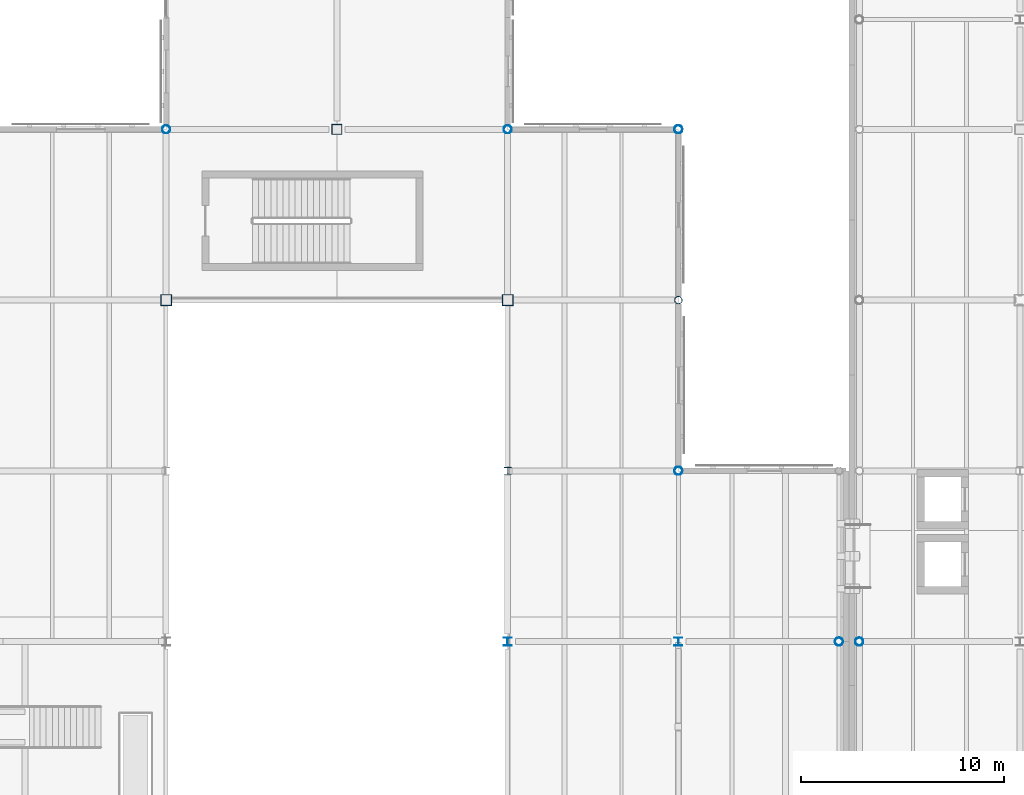
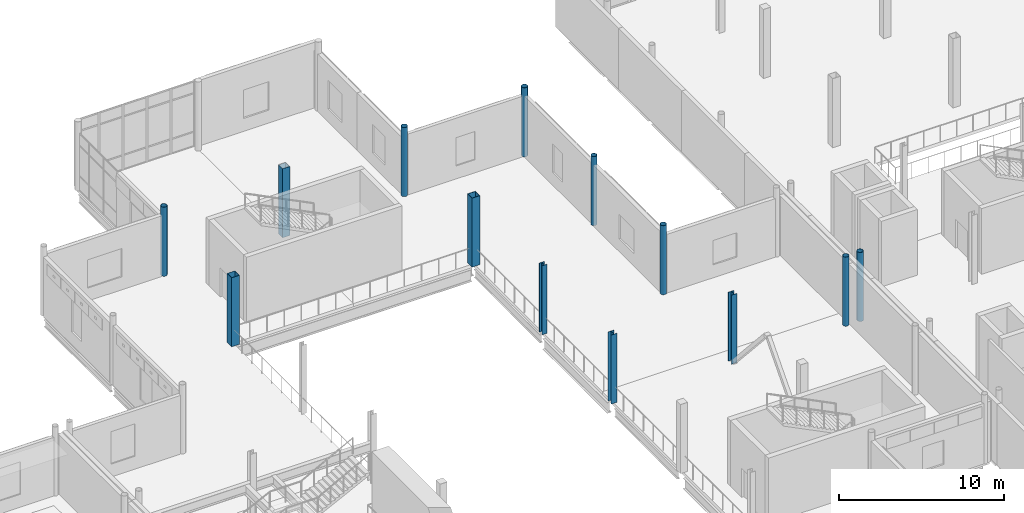
# One storey, part 8 of 104: 13 columns.
"""IFC4 building model written with IfcOpenShell, lengths in metres."""

from ifc_helpers import new_model, si_unit, direction, frame, origin, origin_2d, place, context, subcontext, project, spatial, hollow_rectangle, hollow_circle, i_section, extrude, material, material_profile, profile_set, type_object, element, save


model = new_model("IFC4")

# Units and contexts
model_context = context("Model", 3, precision=1e-05, world=origin(), true_north=direction((0.0, 1.0)))
body_context = subcontext(model_context, "Body", "Model", "MODEL_VIEW")
ifc_project = project(units=[si_unit("LENGTHUNIT", "METRE"), si_unit("AREAUNIT", "SQUARE_METRE"), si_unit("VOLUMEUNIT", "CUBIC_METRE"), si_unit("PLANEANGLEUNIT", "RADIAN"), si_unit("MASSUNIT", "GRAM", prefix="KILO"), si_unit("THERMODYNAMICTEMPERATUREUNIT", "KELVIN")], contexts=[model_context])

# Site, building, storey
site_placement = place(None, origin())
site = spatial("IfcSite", under=ifc_project, at=site_placement, CompositionType="ELEMENT")
building_placement = place(site_placement, origin())
building = spatial("IfcBuilding", under=site, at=building_placement, Name="Lustrewick Department Store", CompositionType="ELEMENT")
storey_placement = place(building_placement, frame((0.0, 0.0, 11.39990234375)))
storey = spatial("IfcBuildingStorey", under=building, at=storey_placement, Name="L03", CompositionType="ELEMENT", Elevation=11.39990234375)

# Columns
ifc_material_1 = material(Name="Structural steel Q355C", Category="steel")
ifc_material_profile_1 = material_profile(ifc_material_1, hollow_rectangle(XDim=0.550048828125, YDim=0.550048828125, WallThickness=0.02197265625, at=origin_2d()), Name="BOX 550x550x22")
ifc_profile_set_1 = profile_set([ifc_material_profile_1], Name="Structural steel Q355C")
column_type_1 = type_object("IfcColumnType", Name="C05", PredefinedType="COLUMN", material=ifc_profile_set_1)
for number, where, z_axis, x_axis, name in (
    (1, (75.60009765625, 92.39990234375, 0.0), (0.0, 0.0, 1.0), (1.0, 0.0, 0.0), "L03 V2 Column C05"),
    (2, (92.39990234375, 92.39990234375, 0.0), (0.0, 0.0, 1.0), (1.0, 0.0, 0.0), "L03 V2 Column C05"),
):
    element("IfcColumn", number, at=place(storey_placement, frame(where, z_axis=z_axis, x_axis=x_axis)), inside=storey, type_object=column_type_1, Name=name, PredefinedType="COLUMN", context=body_context, shape_type="SweptSolid", body=[
        extrude(hollow_rectangle(XDim=0.550048828125, YDim=0.550048828125, WallThickness=0.02197265625, at=origin_2d()), origin(), (0.0, 0.0, 1.0), 5.10009765625),
    ])
ifc_material_2 = material(Name="Structural steel Q355B", Category="steel")
ifc_material_profile_2 = material_profile(ifc_material_2, hollow_rectangle(XDim=0.5, YDim=0.5, WallThickness=0.02001953125, at=origin_2d()), Name="BOX 500x500x20")
ifc_profile_set_2 = profile_set([ifc_material_profile_2], Name="Structural steel Q355B")
column_type_2 = type_object("IfcColumnType", Name="C06", PredefinedType="COLUMN", material=ifc_profile_set_2)
column_1_placement = place(storey_placement, frame((84.0, 100.800048828125, 0.0), z_axis=(0.0, 0.0, 1.0), x_axis=(1.0, 0.0, 0.0)))
element("IfcColumn", 3, at=column_1_placement, inside=storey, type_object=column_type_2, Name="L03 V2 Column C06", PredefinedType="COLUMN", context=body_context, shape_type="SweptSolid", body=[
    extrude(hollow_rectangle(XDim=0.5, YDim=0.5, WallThickness=0.02001953125, at=origin_2d()), origin(), (0.0, 0.0, 1.0), 5.10009765625),
])
ifc_material_profile_3 = material_profile(ifc_material_2, i_section(OverallWidth=0.402099609375, OverallDepth=0.387939453125, WebThickness=0.014892578125, FlangeThickness=0.014892578125, FilletRadius=0.02197265625, at=origin_2d()), Name="HW 388x402x15x15")
ifc_profile_set_3 = profile_set([ifc_material_profile_3], Name="Structural steel Q355B")
column_type_3 = type_object("IfcColumnType", Name="C12", PredefinedType="COLUMN", material=ifc_profile_set_3)
for number, where, z_axis, x_axis, name in (
    (4, (92.39990234375, 75.60009765625, 0.0), (0.0, 0.0, 1.0), (1.0, 0.0, 0.0), "L03 V2 Column C12"),
    (5, (100.800048828125, 75.60009765625, 0.0), (0.0, 0.0, 1.0), (1.0, 0.0, 0.0), "L03 V2 Column C12"),
):
    element("IfcColumn", number, at=place(storey_placement, frame(where, z_axis=z_axis, x_axis=x_axis)), inside=storey, type_object=column_type_3, Name=name, PredefinedType="COLUMN", context=body_context, shape_type="SweptSolid", body=[
        extrude(i_section(OverallWidth=0.402099609375, OverallDepth=0.387939453125, WebThickness=0.014892578125, FlangeThickness=0.014892578125, FilletRadius=0.02197265625, at=origin_2d()), origin(), (0.0, 0.0, 1.0), 5.10009765625),
    ])
ifc_material_profile_4 = material_profile(ifc_material_2, i_section(OverallWidth=0.35009765625, OverallDepth=0.35009765625, WebThickness=0.011962890625, FlangeThickness=0.01904296875, FilletRadius=0.02001953125, at=origin_2d()), Name="HW 350x350x12x19")
ifc_profile_set_4 = profile_set([ifc_material_profile_4], Name="Structural steel Q355B")
column_type_4 = type_object("IfcColumnType", Name="C13", PredefinedType="COLUMN", material=ifc_profile_set_4)
column_2_placement = place(storey_placement, frame((92.39990234375, 84.0, 0.0), z_axis=(0.0, 0.0, 1.0), x_axis=(1.0, 0.0, 0.0)))
element("IfcColumn", 6, at=column_2_placement, inside=storey, type_object=column_type_4, Name="L03 V2 Column C13", PredefinedType="COLUMN", context=body_context, shape_type="SweptSolid", body=[
    extrude(i_section(OverallWidth=0.35009765625, OverallDepth=0.35009765625, WebThickness=0.011962890625, FlangeThickness=0.01904296875, FilletRadius=0.02001953125, at=origin_2d()), origin(), (0.0, 0.0, 1.0), 5.10009765625),
])
ifc_material_profile_5 = material_profile(ifc_material_1, hollow_circle(Radius=0.202880859375, WallThickness=0.01611328125, at=origin_2d()), Name="CHS 406x16")
ifc_profile_set_5 = profile_set([ifc_material_profile_5], Name="Structural steel Q355C")
column_type_5 = type_object("IfcColumnType", Name="CE03", PredefinedType="COLUMN", material=ifc_profile_set_5)
for number, where, z_axis, x_axis, name in (
    (7, (75.60009765625, 100.800048828125, 0.0), (0.0, 0.0, 1.0), (1.0, 0.0, 0.0), "L03 V2 Column CE03"),
    (8, (92.39990234375, 100.800048828125, 0.0), (0.0, 0.0, 1.0), (1.0, 0.0, 0.0), "L03 V2 Column CE03"),
    (9, (100.800048828125, 84.0, 0.0), (0.0, 0.0, 1.0), (1.0, 0.0, 0.0), "L03 V2 Column CE03"),
    (10, (100.800048828125, 100.800048828125, 0.0), (0.0, 0.0, 1.0), (1.0, 0.0, 0.0), "L03 V2 Column CE03"),
    (11, (108.699951171875, 75.60009765625, 0.0), (0.0, 0.0, 1.0), (1.0, 0.0, 0.0), "L03 V2 Column CE03"),
    (12, (109.699951171875, 75.60009765625, 0.0), (0.0, 0.0, 1.0), (1.0, 0.0, 0.0), "L03 V4 Column CE03"),
):
    element("IfcColumn", number, at=place(storey_placement, frame(where, z_axis=z_axis, x_axis=x_axis)), inside=storey, type_object=column_type_5, Name=name, PredefinedType="COLUMN", context=body_context, shape_type="SweptSolid", body=[
        extrude(hollow_circle(Radius=0.202880859375, WallThickness=0.01611328125, at=origin_2d()), origin(), (0.0, 0.0, 1.0), 5.10009765625),
    ])
ifc_material_profile_6 = material_profile(ifc_material_2, hollow_circle(Radius=0.1884765625, WallThickness=0.013916015625, at=origin_2d()), Name="CHS 377x14")
ifc_profile_set_6 = profile_set([ifc_material_profile_6], Name="Structural steel Q355B")
column_type_6 = type_object("IfcColumnType", Name="CE04", PredefinedType="COLUMN", material=ifc_profile_set_6)
column_3_placement = place(storey_placement, frame((100.800048828125, 92.39990234375, 0.0), z_axis=(0.0, 0.0, 1.0), x_axis=(1.0, 0.0, 0.0)))
element("IfcColumn", 13, at=column_3_placement, inside=storey, type_object=column_type_6, Name="L03 V2 Column CE04", PredefinedType="COLUMN", context=body_context, shape_type="SweptSolid", body=[
    extrude(hollow_circle(Radius=0.1884765625, WallThickness=0.013916015625, at=origin_2d()), origin(), (0.0, 0.0, 1.0), 5.10009765625),
])

save(model, "model.ifc")
